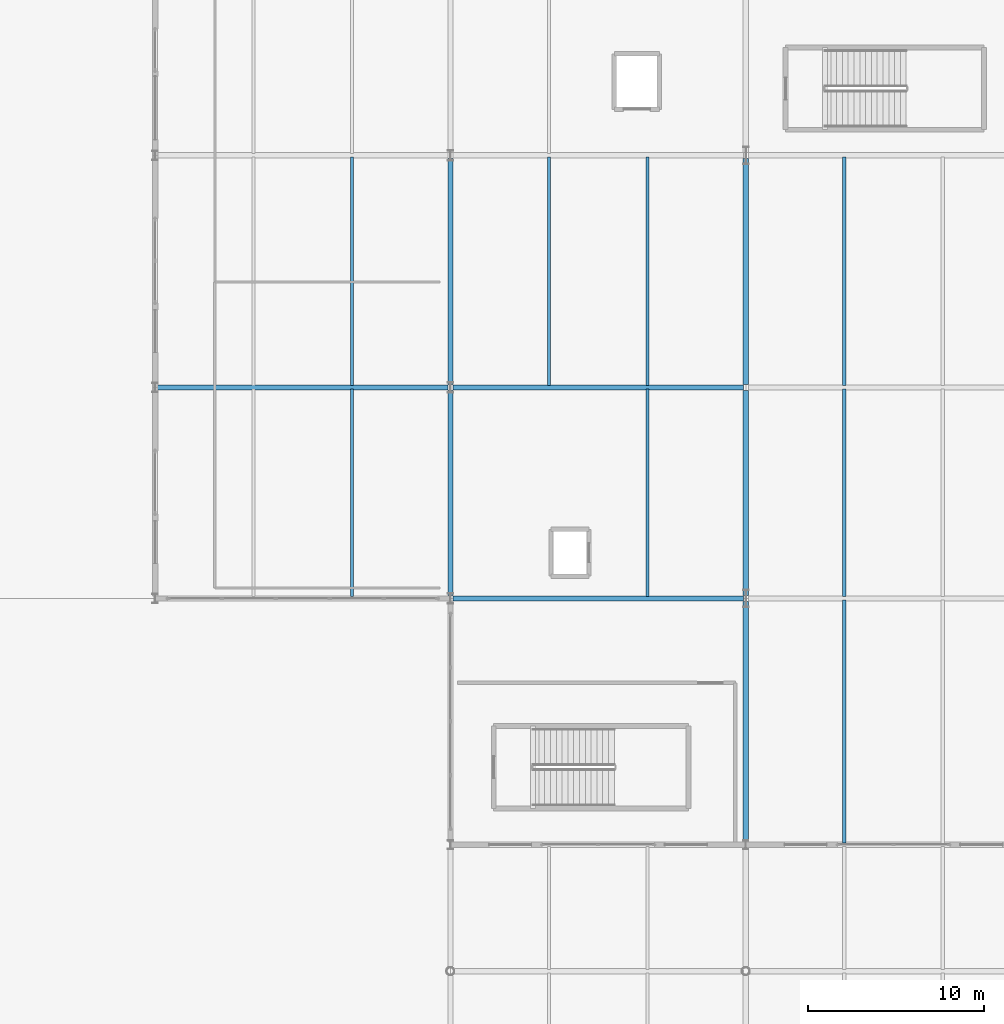
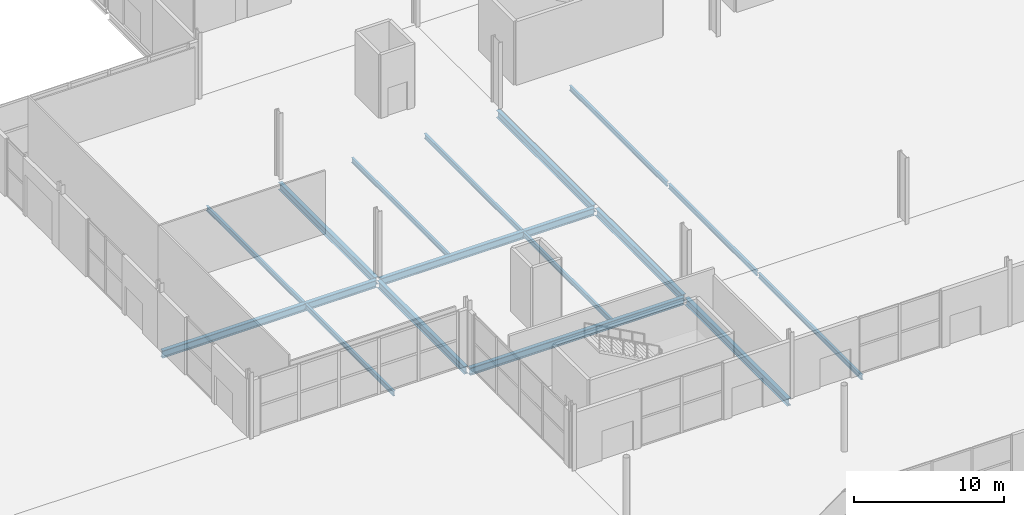
# One storey, part 23 of 87: 16 beams.
"""IFC4 building model written with IfcOpenShell, lengths in metres."""

from ifc_helpers import new_model, si_unit, direction, frame, origin, origin_2d, place, context, subcontext, project, spatial, i_section, extrude, material, material_profile, profile_set, type_object, element, save


model = new_model("IFC4")

# Units and contexts
model_context = context("Model", 3, precision=1e-05, world=origin(), true_north=direction((0.0, 1.0)))
body_context = subcontext(model_context, "Body", "Model", "MODEL_VIEW")
ifc_project = project(units=[si_unit("LENGTHUNIT", "METRE"), si_unit("AREAUNIT", "SQUARE_METRE"), si_unit("VOLUMEUNIT", "CUBIC_METRE"), si_unit("PLANEANGLEUNIT", "RADIAN"), si_unit("MASSUNIT", "GRAM", prefix="KILO")], contexts=[model_context])

# Site, building, storey
site_placement = place(None, origin())
site = spatial("IfcSite", under=ifc_project, at=site_placement, CompositionType="ELEMENT")
building_placement = place(site_placement, origin())
building = spatial("IfcBuilding", under=site, at=building_placement, Name="Kimbaza Rail Terminus", CompositionType="ELEMENT")
storey_placement = place(building_placement, origin())
storey = spatial("IfcBuildingStorey", under=building, at=storey_placement, Name="L00", CompositionType="ELEMENT", Elevation=0.0)

# Beams
ifc_material_1 = material(Name="Steel S355", Category="steel")
ifc_material_profile_1 = material_profile(ifc_material_1, i_section(OverallWidth=0.300048828125, OverallDepth=0.60009765625, WebThickness=0.015380859375, FlangeThickness=0.030029296875, FilletRadius=0.027099609375, at=origin_2d()), Name="HEB 600")
ifc_profile_set_1 = profile_set([ifc_material_profile_1], Name="Steel S355")
beam_type_1 = type_object("IfcBeamType", Name="STR-BM-HEB600", PredefinedType="BEAM", material=ifc_profile_set_1)
beam_1_placement = place(storey_placement, frame((55.199951171875, 55.175048828125, -0.550048828125), z_axis=(0.0, 1.0, 0.0), x_axis=(-1.0, 0.0, 0.0)))
element("IfcBeam", 1, at=beam_1_placement, inside=storey, type_object=beam_type_1, Name="Beam BM-V2Y-L00-0-55", PredefinedType="BEAM", context=body_context, shape_type="SweptSolid", body=[
    extrude(i_section(OverallWidth=0.300048828125, OverallDepth=0.60009765625, WebThickness=0.015380859375, FlangeThickness=0.030029296875, FilletRadius=0.027099609375, at=origin_2d()), origin(), (0.0, 0.0, 1.0), 11.64990234375),
])
beam_2_placement = place(storey_placement, frame((55.199951171875, 67.175048828125, -0.550048828125), z_axis=(0.0, 1.0, 0.0), x_axis=(-1.0, 0.0, 0.0)))
element("IfcBeam", 2, at=beam_2_placement, inside=storey, type_object=beam_type_1, Name="Beam BM-V2Y-L00-0-67", PredefinedType="BEAM", context=body_context, shape_type="SweptSolid", body=[
    extrude(i_section(OverallWidth=0.300048828125, OverallDepth=0.60009765625, WebThickness=0.015380859375, FlangeThickness=0.030029296875, FilletRadius=0.027099609375, at=origin_2d()), origin(), (0.0, 0.0, 1.0), 12.849853515625),
])
beam_3_placement = place(storey_placement, frame((72.0, 41.175048828125, -0.550048828125), z_axis=(0.0, 1.0, 0.0), x_axis=(-1.0, 0.0, 0.0)))
element("IfcBeam", 3, at=beam_3_placement, inside=storey, type_object=beam_type_1, Name="Beam BM-V2Y-L00-1-41", PredefinedType="BEAM", context=body_context, shape_type="SweptSolid", body=[
    extrude(i_section(OverallWidth=0.300048828125, OverallDepth=0.60009765625, WebThickness=0.015380859375, FlangeThickness=0.030029296875, FilletRadius=0.027099609375, at=origin_2d()), origin(), (0.0, 0.0, 1.0), 13.64990234375),
])
beam_4_placement = place(storey_placement, frame((72.0, 55.175048828125, -0.550048828125), z_axis=(0.0, 1.0, 0.0), x_axis=(-1.0, 0.0, 0.0)))
element("IfcBeam", 4, at=beam_4_placement, inside=storey, type_object=beam_type_1, Name="Beam BM-V2Y-L00-1-55", PredefinedType="BEAM", context=body_context, shape_type="SweptSolid", body=[
    extrude(i_section(OverallWidth=0.300048828125, OverallDepth=0.60009765625, WebThickness=0.015380859375, FlangeThickness=0.030029296875, FilletRadius=0.027099609375, at=origin_2d()), origin(), (0.0, 0.0, 1.0), 11.64990234375),
])
beam_5_placement = place(storey_placement, frame((72.0, 67.175048828125, -0.550048828125), z_axis=(0.0, 1.0, 0.0), x_axis=(-1.0, 0.0, 0.0)))
element("IfcBeam", 5, at=beam_5_placement, inside=storey, type_object=beam_type_1, Name="Beam BM-V2Y-L00-1-67", PredefinedType="BEAM", context=body_context, shape_type="SweptSolid", body=[
    extrude(i_section(OverallWidth=0.300048828125, OverallDepth=0.60009765625, WebThickness=0.015380859375, FlangeThickness=0.030029296875, FilletRadius=0.027099609375, at=origin_2d()), origin(), (0.0, 0.0, 1.0), 12.849853515625),
])
for number, where, z_axis, x_axis, name in (
    (6, (55.345947265625, 55.0, -0.550048828125), (1.0, 0.0, 0.0), (0.0, 1.0, 0.0), "Beam BM-V2X-L00-3-1"),
    (7, (38.5458984375, 67.0, -0.550048828125), (1.0, 0.0, 0.0), (0.0, 1.0, 0.0), "Beam BM-V2X-L00-4-0"),
    (8, (55.345947265625, 67.0, -0.550048828125), (1.0, 0.0, 0.0), (0.0, 1.0, 0.0), "Beam BM-V2X-L00-4-1"),
):
    element("IfcBeam", number, at=place(storey_placement, frame(where, z_axis=z_axis, x_axis=x_axis)), inside=storey, type_object=beam_type_1, Name=name, PredefinedType="BEAM", context=body_context, shape_type="SweptSolid", body=[
        extrude(i_section(OverallWidth=0.300048828125, OverallDepth=0.60009765625, WebThickness=0.015380859375, FlangeThickness=0.030029296875, FilletRadius=0.027099609375, at=origin_2d()), origin(), (0.0, 0.0, 1.0), 16.508056640625),
    ])
ifc_material_2 = material(Name="Steel S355", Category="steel")
ifc_material_profile_2 = material_profile(ifc_material_2, i_section(OverallWidth=0.179931640625, OverallDepth=0.39990234375, WebThickness=0.008544921875, FlangeThickness=0.013427734375, FilletRadius=0.02099609375, at=origin_2d()), Name="IPE 400")
ifc_profile_set_2 = profile_set([ifc_material_profile_2], Name="Steel S355")
beam_type_2 = type_object("IfcBeamType", Name="STR-BM-IPE400", PredefinedType="JOIST", material=ifc_profile_set_2)
beam_6_placement = place(storey_placement, frame((49.60009765625, 55.10009765625, -0.449951171875), z_axis=(0.0, 1.0, 0.0), x_axis=(-1.0, 0.0, 0.0)))
element("IfcBeam", 9, at=beam_6_placement, inside=storey, type_object=beam_type_2, Name="Beam JST-V2-L00-0-2-55", PredefinedType="JOIST", context=body_context, shape_type="SweptSolid", body=[
    extrude(i_section(OverallWidth=0.179931640625, OverallDepth=0.39990234375, WebThickness=0.008544921875, FlangeThickness=0.013427734375, FilletRadius=0.02099609375, at=origin_2d()), origin(), (0.0, 0.0, 1.0), 11.7998046875),
])
for number, where, z_axis, x_axis, name in (
    (10, (49.60009765625, 67.10009765625, -0.449951171875), (0.0, 1.0, 0.0), (-1.0, 0.0, 0.0), "Beam JST-V2-L00-0-2-67"),
    (11, (60.800048828125, 67.10009765625, -0.449951171875), (0.0, 1.0, 0.0), (-1.0, 0.0, 0.0), "Beam JST-V2-L00-1-1-67"),
):
    element("IfcBeam", number, at=place(storey_placement, frame(where, z_axis=z_axis, x_axis=x_axis)), inside=storey, type_object=beam_type_2, Name=name, PredefinedType="JOIST", context=body_context, shape_type="SweptSolid", body=[
        extrude(i_section(OverallWidth=0.179931640625, OverallDepth=0.39990234375, WebThickness=0.008544921875, FlangeThickness=0.013427734375, FilletRadius=0.02099609375, at=origin_2d()), origin(), (0.0, 0.0, 1.0), 13.0),
    ])
beam_7_placement = place(storey_placement, frame((66.39990234375, 55.10009765625, -0.449951171875), z_axis=(0.0, 1.0, 0.0), x_axis=(-1.0, 0.0, 0.0)))
element("IfcBeam", 12, at=beam_7_placement, inside=storey, type_object=beam_type_2, Name="Beam JST-V2-L00-1-2-55", PredefinedType="JOIST", context=body_context, shape_type="SweptSolid", body=[
    extrude(i_section(OverallWidth=0.179931640625, OverallDepth=0.39990234375, WebThickness=0.008544921875, FlangeThickness=0.013427734375, FilletRadius=0.02099609375, at=origin_2d()), origin(), (0.0, 0.0, 1.0), 11.7998046875),
])
beam_8_placement = place(storey_placement, frame((66.39990234375, 67.10009765625, -0.449951171875), z_axis=(0.0, 1.0, 0.0), x_axis=(-1.0, 0.0, 0.0)))
element("IfcBeam", 13, at=beam_8_placement, inside=storey, type_object=beam_type_2, Name="Beam JST-V2-L00-1-2-67", PredefinedType="JOIST", context=body_context, shape_type="SweptSolid", body=[
    extrude(i_section(OverallWidth=0.179931640625, OverallDepth=0.39990234375, WebThickness=0.008544921875, FlangeThickness=0.013427734375, FilletRadius=0.02099609375, at=origin_2d()), origin(), (0.0, 0.0, 1.0), 13.0),
])
beam_9_placement = place(storey_placement, frame((77.60009765625, 41.10009765625, -0.449951171875), z_axis=(0.0, 1.0, 0.0), x_axis=(-1.0, 0.0, 0.0)))
element("IfcBeam", 14, at=beam_9_placement, inside=storey, type_object=beam_type_2, Name="Beam JST-V2-L00-2-1-41", PredefinedType="JOIST", context=body_context, shape_type="SweptSolid", body=[
    extrude(i_section(OverallWidth=0.179931640625, OverallDepth=0.39990234375, WebThickness=0.008544921875, FlangeThickness=0.013427734375, FilletRadius=0.02099609375, at=origin_2d()), origin(), (0.0, 0.0, 1.0), 13.7998046875),
])
beam_10_placement = place(storey_placement, frame((77.60009765625, 55.10009765625, -0.449951171875), z_axis=(0.0, 1.0, 0.0), x_axis=(-1.0, 0.0, 0.0)))
element("IfcBeam", 15, at=beam_10_placement, inside=storey, type_object=beam_type_2, Name="Beam JST-V2-L00-2-1-55", PredefinedType="JOIST", context=body_context, shape_type="SweptSolid", body=[
    extrude(i_section(OverallWidth=0.179931640625, OverallDepth=0.39990234375, WebThickness=0.008544921875, FlangeThickness=0.013427734375, FilletRadius=0.02099609375, at=origin_2d()), origin(), (0.0, 0.0, 1.0), 11.7998046875),
])
beam_11_placement = place(storey_placement, frame((77.60009765625, 67.10009765625, -0.449951171875), z_axis=(0.0, 1.0, 0.0), x_axis=(-1.0, 0.0, 0.0)))
element("IfcBeam", 16, at=beam_11_placement, inside=storey, type_object=beam_type_2, Name="Beam JST-V2-L00-2-1-67", PredefinedType="JOIST", context=body_context, shape_type="SweptSolid", body=[
    extrude(i_section(OverallWidth=0.179931640625, OverallDepth=0.39990234375, WebThickness=0.008544921875, FlangeThickness=0.013427734375, FilletRadius=0.02099609375, at=origin_2d()), origin(), (0.0, 0.0, 1.0), 13.0),
])

save(model, "model.ifc")
